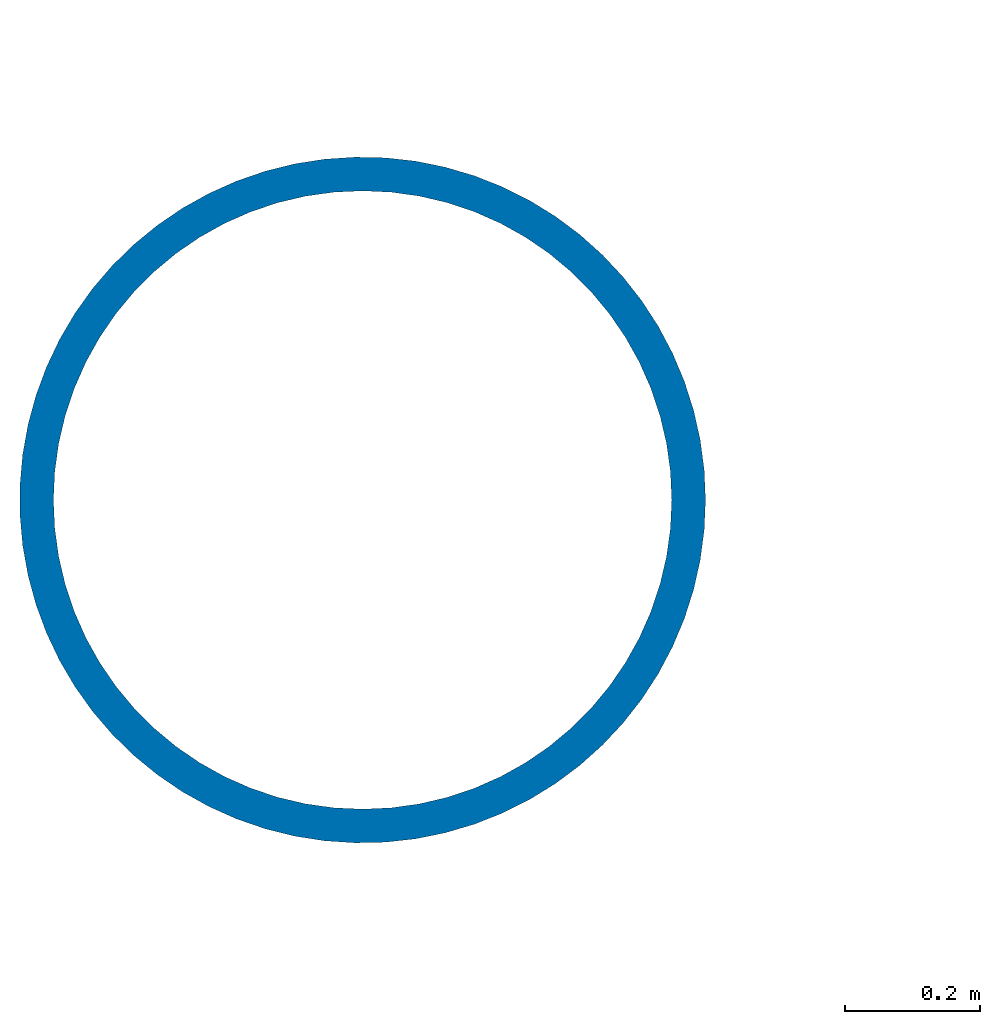
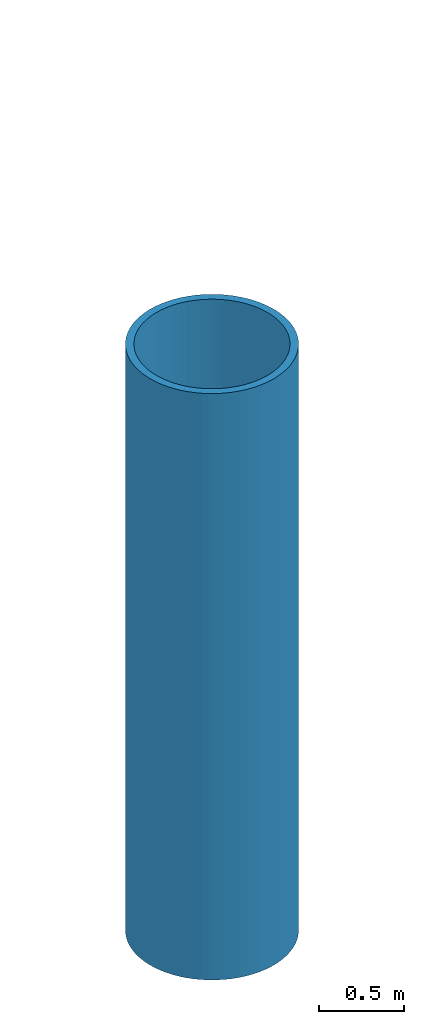
# One storey, part 1 of 17: 1 column.
"""IFC4 building model written with IfcOpenShell, lengths in metres."""

from ifc_helpers import new_model, si_unit, direction, frame, origin, origin_2d, place, context, subcontext, project, spatial, hollow_circle, extrude, material, material_profile, profile_set, type_object, element, save


model = new_model("IFC4")

# Units and contexts
model_context = context("Model", 3, precision=1e-05, world=origin(), true_north=direction((0.0, 1.0)))
body_context = subcontext(model_context, "Body", "Model", "MODEL_VIEW")
ifc_project = project(units=[si_unit("LENGTHUNIT", "METRE"), si_unit("AREAUNIT", "SQUARE_METRE"), si_unit("VOLUMEUNIT", "CUBIC_METRE"), si_unit("PLANEANGLEUNIT", "RADIAN"), si_unit("MASSUNIT", "GRAM", prefix="KILO")], contexts=[model_context])

# Site, building, storey
site_placement = place(None, origin())
site = spatial("IfcSite", under=ifc_project, at=site_placement, CompositionType="ELEMENT")
building_placement = place(site_placement, origin())
building = spatial("IfcBuilding", under=site, at=building_placement, Name="Cresset Court Congress Hotel", CompositionType="ELEMENT")
storey_placement = place(building_placement, frame((0.0, 0.0, 31.199951171875)))
storey = spatial("IfcBuildingStorey", under=building, at=storey_placement, Name="L07", CompositionType="ELEMENT", Elevation=31.199951171875)

# Column
ifc_material = material(Name="Structural steel Q355B", Category="steel")
ifc_material_profile = material_profile(ifc_material, hollow_circle(Radius=0.508056640625, WallThickness=0.050048828125, at=origin_2d()), Name="CHS1016x50")
ifc_profile_set = profile_set([ifc_material_profile], Name="Structural steel Q355B")
column_type = type_object("IfcColumnType", Name="Mast tube 1016x50", PredefinedType="COLUMN", material=ifc_profile_set)
column_placement = place(storey_placement, frame((55.800048828125, 55.800048828125, 0.0), z_axis=(0.0, 0.0, 1.0), x_axis=(1.0, 0.0, 0.0)))
element("IfcColumn", 1, at=column_placement, inside=storey, type_object=column_type, Name="Mast M1", PredefinedType="COLUMN", context=body_context, shape_type="SweptSolid", body=[
    extrude(hollow_circle(Radius=0.508056640625, WallThickness=0.050048828125, at=origin_2d()), origin(), (0.0, 0.0, 1.0), 4.199951171875),
])

save(model, "model.ifc")
